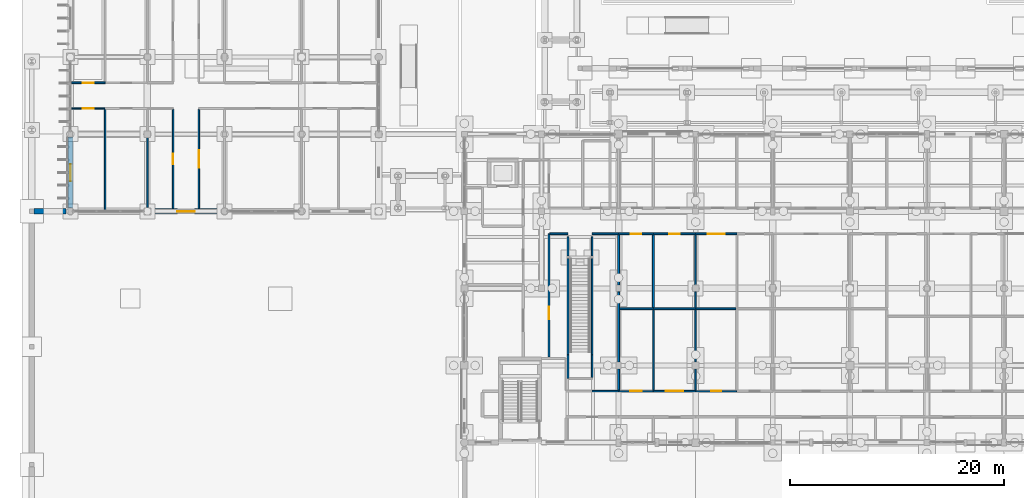
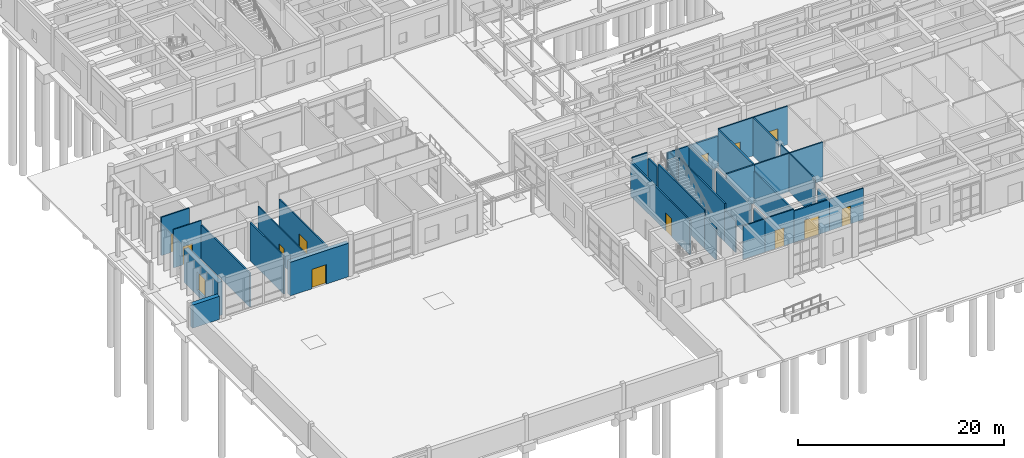
# One storey, part 95 of 143: 37 walls, 12 doors, 1 window, 13 openings.
"""IFC4 building model written with IfcOpenShell, lengths in metres."""

from ifc_helpers import new_model, si_unit, direction, frame, frame_2d, origin, place, context, subcontext, project, spatial, rectangle, extrude, material, layer, layer_set, type_object, element, fill, save


model = new_model("IFC4")

# Units and contexts
model_context = context("Model", 3, precision=1e-05, world=origin(), true_north=direction((0.0, 1.0)))
body_context = subcontext(model_context, "Body", "Model", "MODEL_VIEW")
ifc_project = project(units=[si_unit("LENGTHUNIT", "METRE"), si_unit("AREAUNIT", "SQUARE_METRE"), si_unit("VOLUMEUNIT", "CUBIC_METRE"), si_unit("PLANEANGLEUNIT", "RADIAN"), si_unit("MASSUNIT", "GRAM", prefix="KILO")], contexts=[model_context])

# Site, building, storey
site_placement = place(None, origin())
site = spatial("IfcSite", under=ifc_project, at=site_placement, CompositionType="ELEMENT")
building_placement = place(site_placement, origin())
building = spatial("IfcBuilding", under=site, at=building_placement, Name="Steenspoor Specialist Clinic", CompositionType="ELEMENT")
storey_placement = place(building_placement, origin())
storey = spatial("IfcBuildingStorey", under=building, at=storey_placement, Name="L00", CompositionType="ELEMENT", Elevation=0.0)

# Wall, opening, door
ifc_material_1 = material(Name="Volcanic basalt ashlar masonry", Category="masonry")
ifc_layer_1 = layer(ifc_material_1, 0.47998046875)
ifc_layer_set_1 = layer_set([ifc_layer_1], Name="Volcanic basalt ashlar masonry")
wall_type_1 = type_object("IfcWallType", Name="W-BASALT-480", PredefinedType="SOLIDWALL", material=ifc_layer_set_1)
wall_1_placement = place(storey_placement, frame((22.5, 34.64990234375, 0.0), z_axis=(0.0, 0.0, 1.0), x_axis=(-1.0, 0.0, 0.0)))
wall_1 = element("IfcWall", 1, at=wall_1_placement, inside=storey, type_object=wall_type_1, Name="Exterior Brick Wall EW-V3-L00-0071", PredefinedType="SOLIDWALL", context=body_context, shape_type="SweptSolid", body=[
    extrude(rectangle(XDim=6.574951171875, YDim=0.47998046875, at=frame_2d((3.28759765625, 0.0))), origin(), (0.0, 0.0, 1.0), 3.97998046875),
])
opening_1_placement = place(wall_1_placement, frame((2.5, 0.0, 0.0)))
opening_1 = element("IfcOpeningElement", 2, at=opening_1_placement, cuts=wall_1, Name="Opening ED16", PredefinedType="OPENING", context=body_context, shape_type="SweptSolid", body=[
    extrude(rectangle(XDim=1.60009765625, YDim=2.300048828125, at=frame_2d((0.800048828125, 1.14990234375))), frame((0.0, 0.25, 0.0), z_axis=(0.0, -1.0, 0.0), x_axis=(1.0, 0.0, 0.0)), (0.0, 0.0, 1.0), 0.5),
])
ifc_material_2 = material(Name="Anodised aluminium and safety glass", Category="aluminium")
door_type_1 = type_object("IfcDoorType", Name="DT-EXIT-160X230", OperationType="NOTDEFINED", PredefinedType="DOOR", material=ifc_material_2)
door_1_placement = place(opening_1_placement, origin())
door_1 = element("IfcDoor", 3, at=door_1_placement, inside=storey, type_object=door_type_1, Name="Main Pedestrian Entrance Exit ED16", OperationType="DOUBLE_DOOR_SINGLE_SWING", OverallHeight=2.300048828125, OverallWidth=1.60009765625, PredefinedType="DOOR", context=body_context, shape_type="SweptSolid", body=[
    extrude(rectangle(XDim=1.60009765625, YDim=2.300048828125, at=frame_2d((0.800048828125, 1.14990234375))), frame((0.0, 0.02490234375, 0.0), z_axis=(0.0, -1.0, 0.0), x_axis=(1.0, 0.0, 0.0)), (0.0, 0.0, 1.0), 0.050048828125),
])
fill(opening_1, door_1)

# Wall, opening, window
wall_2_placement = place(storey_placement, frame((8.39990234375, 34.949951171875, 0.0), z_axis=(0.0, 0.0, 1.0), x_axis=(0.0, 1.0, 0.0)))
wall_2 = element("IfcWall", 4, at=wall_2_placement, inside=storey, type_object=wall_type_1, Name="Exterior Brick Wall EW-V3-L00-0072", PredefinedType="SOLIDWALL", context=body_context, shape_type="SweptSolid", body=[
    extrude(rectangle(XDim=6.625, YDim=0.47998046875, at=frame_2d((3.3125, 0.0))), origin(), (0.0, 0.0, 1.0), 3.97998046875),
])
opening_2_placement = place(wall_2_placement, frame((2.512451171875, 0.0, 0.60009765625)))
opening_2 = element("IfcOpeningElement", 5, at=opening_2_placement, cuts=wall_2, Name="Opening WN-16", PredefinedType="OPENING", context=body_context, shape_type="SweptSolid", body=[
    extrude(rectangle(XDim=1.60009765625, YDim=2.199951171875, at=frame_2d((0.800048828125, 1.10009765625))), frame((0.0, 0.25, 0.0), z_axis=(0.0, -1.0, 0.0), x_axis=(1.0, 0.0, 0.0)), (0.0, 0.0, 1.0), 0.5),
])
ifc_material_3 = material(Name="Thermally broken aluminium and low-emissivity glass", Category="aluminium")
window_type = type_object("IfcWindowType", Name="WN-EXT-160X220", PartitioningType="SINGLE_PANEL", PredefinedType="WINDOW", material=ifc_material_3)
window_placement = place(opening_2_placement, origin())
window = element("IfcWindow", 6, at=window_placement, inside=storey, type_object=window_type, Name="Window 0088", OverallHeight=2.199951171875, OverallWidth=1.60009765625, PartitioningType="SINGLE_PANEL", PredefinedType="WINDOW", context=body_context, shape_type="SweptSolid", body=[
    extrude(rectangle(XDim=1.60009765625, YDim=2.199951171875, at=frame_2d((0.800048828125, 1.10009765625))), frame((0.0, 0.030029296875, 0.0), z_axis=(0.0, -1.0, 0.0), x_axis=(1.0, 0.0, 0.0)), (0.0, 0.0, 1.0), 0.06005859375),
])
fill(opening_2, window)

# Wall
wall_3_placement = place(storey_placement, frame((8.0, 34.64990234375, 0.0), z_axis=(0.0, 0.0, 1.0), x_axis=(-1.0, 0.0, 0.0)))
element("IfcWall", 7, at=wall_3_placement, inside=storey, type_object=wall_type_1, Name="Campus Courtyard Screen Wall YW-SW-01", PredefinedType="SOLIDWALL", context=body_context, shape_type="SweptSolid", body=[
    extrude(rectangle(XDim=2.989990234375, YDim=0.47998046875, at=frame_2d((1.4951171875, 0.0))), origin(), (0.0, 0.0, 1.0), 2.75),
])

# Wall, opening, door
ifc_material_4 = material(Name="Gypsum acoustic clinical partition", Category="gypsum")
ifc_layer_2 = layer(ifc_material_4, 0.14990234375)
ifc_layer_set_2 = layer_set([ifc_layer_2], Name="Gypsum acoustic clinical partition")
wall_type_2 = type_object("IfcWallType", Name="W-CLIN-150", PredefinedType="PARTITIONING", material=ifc_layer_set_2)
wall_4_placement = place(storey_placement, frame((62.85009765625, 17.85009765625, 0.0), z_axis=(0.0, 0.0, 1.0), x_axis=(1.0, 0.0, 0.0)))
wall_4 = element("IfcWall", 8, at=wall_4_placement, inside=storey, type_object=wall_type_2, Name="Interior Partition IW-V1-L00-0153", PredefinedType="PARTITIONING", context=body_context, shape_type="SweptSolid", body=[
    extrude(rectangle(XDim=3.949951171875, YDim=0.14990234375, at=frame_2d((1.97509765625, 0.0))), origin(), (0.0, 0.0, 1.0), 3.735107421875),
])
opening_3_placement = place(wall_4_placement, frame((1.175048828125, 0.0, 0.0)))
opening_3 = element("IfcOpeningElement", 9, at=opening_3_placement, cuts=wall_4, Name="Opening D0011", PredefinedType="OPENING", context=body_context, shape_type="SweptSolid", body=[
    extrude(rectangle(XDim=1.60009765625, YDim=2.25, at=frame_2d((0.800048828125, 1.125))), frame((0.0, 0.0849609375, 0.0), z_axis=(0.0, -1.0, 0.0), x_axis=(1.0, 0.0, 0.0)), (0.0, 0.0, 1.0), 0.169921875),
])
ifc_material_5 = material(Name="Hygienic HPL clinical timber door", Category="wood")
door_type_2 = type_object("IfcDoorType", Name="DT-PROC-160X225", OperationType="NOTDEFINED", PredefinedType="DOOR", material=ifc_material_5)
door_2_placement = place(opening_3_placement, origin())
door_2 = element("IfcDoor", 10, at=door_2_placement, inside=storey, type_object=door_type_2, Name="Clinical Door D0011", OperationType="SINGLE_SWING_RIGHT", OverallHeight=2.25, OverallWidth=1.60009765625, PredefinedType="DOOR", context=body_context, shape_type="SweptSolid", body=[
    extrude(rectangle(XDim=1.60009765625, YDim=2.25, at=frame_2d((0.800048828125, 1.125))), frame((0.0, 0.02490234375, 0.0), z_axis=(0.0, -1.0, 0.0), x_axis=(1.0, 0.0, 0.0)), (0.0, 0.0, 1.0), 0.050048828125),
])
fill(opening_3, door_2)

wall_5_placement = place(storey_placement, frame((66.800048828125, 32.550048828125, 0.0), z_axis=(0.0, 0.0, 1.0), x_axis=(1.0, 0.0, 0.0)))
wall_5 = element("IfcWall", 11, at=wall_5_placement, inside=storey, type_object=wall_type_2, Name="Interior Partition IW-V1-L00-0157", PredefinedType="PARTITIONING", context=body_context, shape_type="SweptSolid", body=[
    extrude(rectangle(XDim=3.849853515625, YDim=0.14990234375, at=frame_2d((1.9248046875, 0.0))), origin(), (0.0, 0.0, 1.0), 4.550048828125),
])
opening_4_placement = place(wall_5_placement, frame((1.125, 0.0, 0.0)))
opening_4 = element("IfcOpeningElement", 12, at=opening_4_placement, cuts=wall_5, Name="Opening D0030", PredefinedType="OPENING", context=body_context, shape_type="SweptSolid", body=[
    extrude(rectangle(XDim=1.60009765625, YDim=2.25, at=frame_2d((0.800048828125, 1.125))), frame((0.0, 0.0849609375, 0.0), z_axis=(0.0, -1.0, 0.0), x_axis=(1.0, 0.0, 0.0)), (0.0, 0.0, 1.0), 0.169921875),
])
door_3_placement = place(opening_4_placement, origin())
door_3 = element("IfcDoor", 13, at=door_3_placement, inside=storey, type_object=door_type_2, Name="Clinical Door D0030", OperationType="SINGLE_SWING_LEFT", OverallHeight=2.25, OverallWidth=1.60009765625, PredefinedType="DOOR", context=body_context, shape_type="SweptSolid", body=[
    extrude(rectangle(XDim=1.60009765625, YDim=2.25, at=frame_2d((0.800048828125, 1.125))), frame((0.0, 0.02490234375, 0.0), z_axis=(0.0, -1.0, 0.0), x_axis=(1.0, 0.0, 0.0)), (0.0, 0.0, 1.0), 0.050048828125),
])
fill(opening_4, door_3)

# Walls
wall_6_placement = place(storey_placement, frame((54.875, 19.050048828125, 0.0), z_axis=(0.0, 0.0, 1.0), x_axis=(0.0, 1.0, 0.0)))
element("IfcWall", 14, at=wall_6_placement, inside=storey, type_object=wall_type_2, Name="Interior Partition IW-V1-L00-0165", PredefinedType="PARTITIONING", context=body_context, shape_type="SweptSolid", body=[
    extrude(rectangle(XDim=2.199951171875, YDim=0.14990234375, at=frame_2d((1.10009765625, 0.0))), origin(), (0.0, 0.0, 1.0), 3.735107421875),
])
wall_7_placement = place(storey_placement, frame((57.125, 32.550048828125, 0.0), z_axis=(0.0, 0.0, 1.0), x_axis=(1.0, 0.0, 0.0)))
element("IfcWall", 15, at=wall_7_placement, inside=storey, type_object=wall_type_2, Name="Interior Partition IW-V1-L00-0166", PredefinedType="PARTITIONING", context=body_context, shape_type="SweptSolid", body=[
    extrude(rectangle(XDim=2.4599609375, YDim=0.14990234375, at=frame_2d((1.22998046875, 0.0))), origin(), (0.0, 0.0, 1.0), 3.735107421875),
])
wall_8_placement = place(storey_placement, frame((57.125, 17.85009765625, 0.0), z_axis=(0.0, 0.0, 1.0), x_axis=(1.0, 0.0, 0.0)))
element("IfcWall", 16, at=wall_8_placement, inside=storey, type_object=wall_type_2, Name="Interior Partition IW-V1-L00-0167", PredefinedType="PARTITIONING", context=body_context, shape_type="SweptSolid", body=[
    extrude(rectangle(XDim=2.47509765625, YDim=0.14990234375, at=frame_2d((1.237548828125, 0.0))), origin(), (0.0, 0.0, 1.0), 3.955078125),
])

# Wall, opening, door
wall_9_placement = place(storey_placement, frame((53.10009765625, 21.050048828125, 0.0), z_axis=(0.0, 0.0, 1.0), x_axis=(0.0, 1.0, 0.0)))
wall_9 = element("IfcWall", 17, at=wall_9_placement, inside=storey, type_object=wall_type_2, Name="Interior Partition IW-V1-L00-0171", PredefinedType="PARTITIONING", context=body_context, shape_type="SweptSolid", body=[
    extrude(rectangle(XDim=11.5, YDim=0.14990234375, at=frame_2d((5.75, 0.0))), origin(), (0.0, 0.0, 1.0), 4.074951171875),
])
opening_5_placement = place(wall_9_placement, frame((3.51904296875, 0.0, 0.0)))
opening_5 = element("IfcOpeningElement", 18, at=opening_5_placement, cuts=wall_9, Name="Opening D0009", PredefinedType="OPENING", context=body_context, shape_type="SweptSolid", body=[
    extrude(rectangle(XDim=1.14990234375, YDim=2.14990234375, at=frame_2d((0.574951171875, 1.074951171875))), frame((0.0, 0.0849609375, 0.0), z_axis=(0.0, -1.0, 0.0), x_axis=(1.0, 0.0, 0.0)), (0.0, 0.0, 1.0), 0.169921875),
])
ifc_material_6 = material(Name="Solid-core hardwood clinical door", Category="wood")
door_type_3 = type_object("IfcDoorType", Name="DT-CONS-115X215", OperationType="NOTDEFINED", PredefinedType="DOOR", material=ifc_material_6)
door_4_placement = place(opening_5_placement, origin())
door_4 = element("IfcDoor", 19, at=door_4_placement, inside=storey, type_object=door_type_3, Name="Clinical Door D0009", OperationType="SINGLE_SWING_RIGHT", OverallHeight=2.14990234375, OverallWidth=1.14990234375, PredefinedType="DOOR", context=body_context, shape_type="SweptSolid", body=[
    extrude(rectangle(XDim=1.14990234375, YDim=2.14990234375, at=frame_2d((0.574951171875, 1.074951171875))), frame((0.0, 0.02490234375, 0.0), z_axis=(0.0, -1.0, 0.0), x_axis=(1.0, 0.0, 0.0)), (0.0, 0.0, 1.0), 0.050048828125),
])
fill(opening_5, door_4)

# Wall
wall_10_placement = place(storey_placement, frame((53.18994140625, 32.550048828125, 0.0), z_axis=(0.0, 0.0, 1.0), x_axis=(1.0, 0.0, 0.0)))
element("IfcWall", 20, at=wall_10_placement, inside=storey, type_object=wall_type_2, Name="Interior Partition IW-V1-L00-0172", PredefinedType="PARTITIONING", context=body_context, shape_type="SweptSolid", body=[
    extrude(rectangle(XDim=1.68505859375, YDim=0.14990234375, at=frame_2d((0.842529296875, 0.0))), origin(), (0.0, 0.0, 1.0), 4.550048828125),
])

# Wall, opening, door
wall_11_placement = place(storey_placement, frame((62.864990234375, 32.550048828125, 0.0), z_axis=(0.0, 0.0, 1.0), x_axis=(1.0, 0.0, 0.0)))
wall_11 = element("IfcWall", 21, at=wall_11_placement, inside=storey, type_object=wall_type_2, Name="Interior Partition IW-V1-L00-0179", PredefinedType="PARTITIONING", context=body_context, shape_type="SweptSolid", body=[
    extrude(rectangle(XDim=3.919921875, YDim=0.14990234375, at=frame_2d((1.9599609375, 0.0))), origin(), (0.0, 0.0, 1.0), 4.550048828125),
])
opening_6_placement = place(wall_11_placement, frame((1.4599609375, 0.0, 0.0)))
opening_6 = element("IfcOpeningElement", 22, at=opening_6_placement, cuts=wall_11, Name="Opening D0029", PredefinedType="OPENING", context=body_context, shape_type="SweptSolid", body=[
    extrude(rectangle(XDim=1.0, YDim=2.14990234375, at=frame_2d((0.5, 1.074951171875))), frame((0.0, 0.0849609375, 0.0), z_axis=(0.0, -1.0, 0.0), x_axis=(1.0, 0.0, 0.0)), (0.0, 0.0, 1.0), 0.169921875),
])
ifc_material_7 = material(Name="Moisture-resistant HPL accessible WC door", Category="wood")
door_type_4 = type_object("IfcDoorType", Name="DT-AWC-100X215", OperationType="NOTDEFINED", PredefinedType="DOOR", material=ifc_material_7)
door_5_placement = place(opening_6_placement, origin())
door_5 = element("IfcDoor", 23, at=door_5_placement, inside=storey, type_object=door_type_4, Name="Clinical Door D0029", OperationType="SINGLE_SWING_RIGHT", OverallHeight=2.14990234375, OverallWidth=1.0, PredefinedType="DOOR", context=body_context, shape_type="SweptSolid", body=[
    extrude(rectangle(XDim=1.0, YDim=2.14990234375, at=frame_2d((0.5, 1.074951171875))), frame((0.0, 0.02490234375, 0.0), z_axis=(0.0, -1.0, 0.0), x_axis=(1.0, 0.0, 0.0)), (0.0, 0.0, 1.0), 0.050048828125),
])
fill(opening_6, door_5)

wall_12_placement = place(storey_placement, frame((20.39990234375, 34.905029296875, 0.0), z_axis=(0.0, 0.0, 1.0), x_axis=(0.0, 1.0, 0.0)))
wall_12 = element("IfcWall", 24, at=wall_12_placement, inside=storey, type_object=wall_type_2, Name="Interior Partition IW-V3-L00-0204", PredefinedType="PARTITIONING", context=body_context, shape_type="SweptSolid", body=[
    extrude(rectangle(XDim=9.2548828125, YDim=0.14990234375, at=frame_2d((4.62744140625, 0.0))), origin(), (0.0, 0.0, 1.0), 4.0400390625),
])
opening_7_placement = place(wall_12_placement, frame((3.827392578125, 0.0, 0.0)))
opening_7 = element("IfcOpeningElement", 25, at=opening_7_placement, cuts=wall_12, Name="Opening D0133", PredefinedType="OPENING", context=body_context, shape_type="SweptSolid", body=[
    extrude(rectangle(XDim=1.60009765625, YDim=2.25, at=frame_2d((0.800048828125, 1.125))), frame((0.0, 0.0849609375, 0.0), z_axis=(0.0, -1.0, 0.0), x_axis=(1.0, 0.0, 0.0)), (0.0, 0.0, 1.0), 0.169921875),
])
door_6_placement = place(opening_7_placement, origin())
door_6 = element("IfcDoor", 26, at=door_6_placement, inside=storey, type_object=door_type_2, Name="Clinical Door D0133", OperationType="SINGLE_SWING_RIGHT", OverallHeight=2.25, OverallWidth=1.60009765625, PredefinedType="DOOR", context=body_context, shape_type="SweptSolid", body=[
    extrude(rectangle(XDim=1.60009765625, YDim=2.25, at=frame_2d((0.800048828125, 1.125))), frame((0.0, 0.02490234375, 0.0), z_axis=(0.0, -1.0, 0.0), x_axis=(1.0, 0.0, 0.0)), (0.0, 0.0, 1.0), 0.050048828125),
])
fill(opening_7, door_6)

wall_13_placement = place(storey_placement, frame((8.5048828125, 46.64990234375, 0.0), z_axis=(0.0, 0.0, 1.0), x_axis=(1.0, 0.0, 0.0)))
wall_13 = element("IfcWall", 27, at=wall_13_placement, inside=storey, type_object=wall_type_2, Name="Interior Partition IW-V3-L00-0206", PredefinedType="PARTITIONING", context=body_context, shape_type="SweptSolid", body=[
    extrude(rectangle(XDim=3.14501953125, YDim=0.14990234375, at=frame_2d((1.572509765625, 0.0))), origin(), (0.0, 0.0, 1.0), 4.550048828125),
])
opening_8_placement = place(wall_13_placement, frame((1.072509765625, 0.0, 0.0)))
opening_8 = element("IfcOpeningElement", 28, at=opening_8_placement, cuts=wall_13, Name="Opening D0137", PredefinedType="OPENING", context=body_context, shape_type="SweptSolid", body=[
    extrude(rectangle(XDim=1.0, YDim=2.14990234375, at=frame_2d((0.5, 1.074951171875))), frame((0.0, 0.0849609375, 0.0), z_axis=(0.0, -1.0, 0.0), x_axis=(1.0, 0.0, 0.0)), (0.0, 0.0, 1.0), 0.169921875),
])
door_7_placement = place(opening_8_placement, origin())
door_7 = element("IfcDoor", 29, at=door_7_placement, inside=storey, type_object=door_type_4, Name="Clinical Door D0137", OperationType="SINGLE_SWING_RIGHT", OverallHeight=2.14990234375, OverallWidth=1.0, PredefinedType="DOOR", context=body_context, shape_type="SweptSolid", body=[
    extrude(rectangle(XDim=1.0, YDim=2.14990234375, at=frame_2d((0.5, 1.074951171875))), frame((0.0, 0.02490234375, 0.0), z_axis=(0.0, -1.0, 0.0), x_axis=(1.0, 0.0, 0.0)), (0.0, 0.0, 1.0), 0.050048828125),
])
fill(opening_8, door_7)

# Walls
wall_14_placement = place(storey_placement, frame((62.85009765625, 17.93994140625, 0.0), z_axis=(0.0, 0.0, 1.0), x_axis=(0.0, 1.0, 0.0)))
element("IfcWall", 30, at=wall_14_placement, inside=storey, type_object=wall_type_2, Name="Interior Partition IW-V1-L00-0531", PredefinedType="PARTITIONING", context=body_context, shape_type="SweptSolid", body=[
    extrude(rectangle(XDim=7.505126953125, YDim=0.14990234375, at=frame_2d((3.75244140625, 0.0))), origin(), (0.0, 0.0, 1.0), 3.8349609375),
])
wall_15_placement = place(storey_placement, frame((62.864990234375, 25.550048828125, 0.0), z_axis=(0.0, 0.0, 1.0), x_axis=(1.0, 0.0, 0.0)))
element("IfcWall", 31, at=wall_15_placement, inside=storey, type_object=wall_type_2, Name="Interior Partition IW-V1-L00-0532", PredefinedType="PARTITIONING", context=body_context, shape_type="SweptSolid", body=[
    extrude(rectangle(XDim=3.93505859375, YDim=0.14990234375, at=frame_2d((1.967529296875, 0.0))), origin(), (0.0, 0.0, 1.0), 4.550048828125),
])
wall_16_placement = place(storey_placement, frame((66.800048828125, 17.93994140625, 0.0), z_axis=(0.0, 0.0, 1.0), x_axis=(0.0, 1.0, 0.0)))
element("IfcWall", 32, at=wall_16_placement, inside=storey, type_object=wall_type_2, Name="Interior Partition IW-V1-L00-0533", PredefinedType="PARTITIONING", context=body_context, shape_type="SweptSolid", body=[
    extrude(rectangle(XDim=1.969970703125, YDim=0.14990234375, at=frame_2d((0.98486328125, 0.0))), origin(), (0.0, 0.0, 1.0), 3.735107421875),
])
wall_17_placement = place(storey_placement, frame((66.800048828125, 20.590087890625, 0.0), z_axis=(0.0, 0.0, 1.0), x_axis=(0.0, 1.0, 0.0)))
element("IfcWall", 33, at=wall_17_placement, inside=storey, type_object=wall_type_2, Name="Interior Partition IW-V1-L00-0534", PredefinedType="PARTITIONING", context=body_context, shape_type="SweptSolid", body=[
    extrude(rectangle(XDim=4.869873046875, YDim=0.14990234375, at=frame_2d((2.43505859375, 0.0))), origin(), (0.0, 0.0, 1.0), 4.550048828125),
])
wall_18_placement = place(storey_placement, frame((66.81494140625, 25.550048828125, 0.0), z_axis=(0.0, 0.0, 1.0), x_axis=(1.0, 0.0, 0.0)))
element("IfcWall", 34, at=wall_18_placement, inside=storey, type_object=wall_type_2, Name="Interior Partition IW-V1-L00-0535", PredefinedType="PARTITIONING", context=body_context, shape_type="SweptSolid", body=[
    extrude(rectangle(XDim=3.72998046875, YDim=0.14990234375, at=frame_2d((1.864990234375, 0.0))), origin(), (0.0, 0.0, 1.0), 4.550048828125),
])
wall_19_placement = place(storey_placement, frame((66.800048828125, 25.639892578125, 0.0), z_axis=(0.0, 0.0, 1.0), x_axis=(0.0, 1.0, 0.0)))
element("IfcWall", 35, at=wall_19_placement, inside=storey, type_object=wall_type_2, Name="Interior Partition IW-V1-L00-0541", PredefinedType="PARTITIONING", context=body_context, shape_type="SweptSolid", body=[
    extrude(rectangle(XDim=1.4951171875, YDim=0.14990234375, at=frame_2d((0.74755859375, 0.0))), origin(), (0.0, 0.0, 1.0), 4.550048828125),
])
wall_20_placement = place(storey_placement, frame((66.800048828125, 27.764892578125, 0.0), z_axis=(0.0, 0.0, 1.0), x_axis=(0.0, 1.0, 0.0)))
element("IfcWall", 36, at=wall_20_placement, inside=storey, type_object=wall_type_2, Name="Interior Partition IW-V1-L00-0542", PredefinedType="PARTITIONING", context=body_context, shape_type="SweptSolid", body=[
    extrude(rectangle(XDim=4.695068359375, YDim=0.14990234375, at=frame_2d((2.34765625, 0.0))), origin(), (0.0, 0.0, 1.0), 4.550048828125),
])
wall_21_placement = place(storey_placement, frame((54.875, 21.264892578125, 0.0), z_axis=(0.0, 0.0, 1.0), x_axis=(0.0, 1.0, 0.0)))
element("IfcWall", 37, at=wall_21_placement, inside=storey, type_object=wall_type_2, Name="Interior Partition IW-V1-L00-0545", PredefinedType="PARTITIONING", context=body_context, shape_type="SweptSolid", body=[
    extrude(rectangle(XDim=8.968017578125, YDim=0.14990234375, at=frame_2d((4.48388671875, 0.0))), origin(), (0.0, 0.0, 1.0), 4.550048828125),
])
wall_22_placement = place(storey_placement, frame((54.875, 30.467041015625, 0.0), z_axis=(0.0, 0.0, 1.0), x_axis=(0.0, 1.0, 0.0)))
element("IfcWall", 38, at=wall_22_placement, inside=storey, type_object=wall_type_2, Name="Interior Partition IW-V1-L00-0546", PredefinedType="PARTITIONING", context=body_context, shape_type="SweptSolid", body=[
    extrude(rectangle(XDim=1.782958984375, YDim=0.14990234375, at=frame_2d((0.8916015625, 0.0))), origin(), (0.0, 0.0, 1.0), 4.074951171875),
])
wall_23_placement = place(storey_placement, frame((57.125, 19.139892578125, 0.0), z_axis=(0.0, 0.0, 1.0), x_axis=(0.0, 1.0, 0.0)))
element("IfcWall", 39, at=wall_23_placement, inside=storey, type_object=wall_type_2, Name="Interior Partition IW-V1-L00-0548", PredefinedType="PARTITIONING", context=body_context, shape_type="SweptSolid", body=[
    extrude(rectangle(XDim=2.110107421875, YDim=0.14990234375, at=frame_2d((1.05517578125, 0.0))), origin(), (0.0, 0.0, 1.0), 3.735107421875),
])
wall_24_placement = place(storey_placement, frame((57.125, 21.264892578125, 0.0), z_axis=(0.0, 0.0, 1.0), x_axis=(0.0, 1.0, 0.0)))
element("IfcWall", 40, at=wall_24_placement, inside=storey, type_object=wall_type_2, Name="Interior Partition IW-V1-L00-0549", PredefinedType="PARTITIONING", context=body_context, shape_type="SweptSolid", body=[
    extrude(rectangle(XDim=8.968017578125, YDim=0.14990234375, at=frame_2d((4.48388671875, 0.0))), origin(), (0.0, 0.0, 1.0), 4.550048828125),
])
wall_25_placement = place(storey_placement, frame((57.125, 30.467041015625, 0.0), z_axis=(0.0, 0.0, 1.0), x_axis=(0.0, 1.0, 0.0)))
element("IfcWall", 41, at=wall_25_placement, inside=storey, type_object=wall_type_2, Name="Interior Partition IW-V1-L00-0550", PredefinedType="PARTITIONING", context=body_context, shape_type="SweptSolid", body=[
    extrude(rectangle(XDim=1.782958984375, YDim=0.14990234375, at=frame_2d((0.8916015625, 0.0))), origin(), (0.0, 0.0, 1.0), 4.074951171875),
])
wall_26_placement = place(storey_placement, frame((11.64990234375, 34.7548828125, 0.0), z_axis=(0.0, 0.0, 1.0), x_axis=(0.0, 1.0, 0.0)))
element("IfcWall", 42, at=wall_26_placement, inside=storey, type_object=wall_type_2, Name="Interior Partition IW-V3-L00-0582", PredefinedType="PARTITIONING", context=body_context, shape_type="SweptSolid", body=[
    extrude(rectangle(XDim=9.405029296875, YDim=0.14990234375, at=frame_2d((4.70263671875, 0.0))), origin(), (0.0, 0.0, 1.0), 4.0400390625),
])
wall_27_placement = place(storey_placement, frame((15.60009765625, 34.989990234375, 0.0), z_axis=(0.0, 0.0, 1.0), x_axis=(0.0, 1.0, 0.0)))
element("IfcWall", 43, at=wall_27_placement, inside=storey, type_object=wall_type_2, Name="Interior Partition IW-V3-L00-0583", PredefinedType="PARTITIONING", context=body_context, shape_type="SweptSolid", body=[
    extrude(rectangle(XDim=6.544921875, YDim=0.14990234375, at=frame_2d((3.2724609375, 0.0))), origin(), (0.0, 0.0, 1.0), 4.550048828125),
])

# Wall, opening, door
ifc_material_8 = material(Name="Gypsum studio partition board", Category="gypsum")
ifc_layer_3 = layer(ifc_material_8, 0.1201171875)
ifc_layer_set_3 = layer_set([ifc_layer_3], Name="Gypsum studio partition board")
wall_type_3 = type_object("IfcWallType", Name="W-PART-120", PredefinedType="PARTITIONING", material=ifc_layer_set_3)
wall_28_placement = place(storey_placement, frame((59.614990234375, 17.85009765625, 0.0), z_axis=(0.0, 0.0, 1.0), x_axis=(1.0, 0.0, 0.0)))
wall_28 = element("IfcWall", 44, at=wall_28_placement, inside=storey, type_object=wall_type_3, Name="Interior Partition IW-V1-L00-0294", PredefinedType="PARTITIONING", context=body_context, shape_type="SweptSolid", body=[
    extrude(rectangle(XDim=3.219970703125, YDim=0.1201171875, at=frame_2d((1.60986328125, 0.0))), origin(), (0.0, 0.0, 1.0), 3.955078125),
])
opening_9_placement = place(wall_28_placement, frame((1.0849609375, 0.0, 0.0)))
opening_9 = element("IfcOpeningElement", 45, at=opening_9_placement, cuts=wall_28, Name="Opening D0010", PredefinedType="OPENING", context=body_context, shape_type="SweptSolid", body=[
    extrude(rectangle(XDim=1.050048828125, YDim=2.14990234375, at=frame_2d((0.52490234375, 1.074951171875))), frame((0.0, 0.070068359375, 0.0), z_axis=(0.0, -1.0, 0.0), x_axis=(1.0, 0.0, 0.0)), (0.0, 0.0, 1.0), 0.14013671875),
])
ifc_material_9 = material(Name="Solid-core hardwood office door", Category="wood")
door_type_5 = type_object("IfcDoorType", Name="DT-OFF-105X215", OperationType="NOTDEFINED", PredefinedType="DOOR", material=ifc_material_9)
door_8_placement = place(opening_9_placement, origin())
door_8 = element("IfcDoor", 46, at=door_8_placement, inside=storey, type_object=door_type_5, Name="Clinical Door D0010", OperationType="SINGLE_SWING_LEFT", OverallHeight=2.14990234375, OverallWidth=1.050048828125, PredefinedType="DOOR", context=body_context, shape_type="SweptSolid", body=[
    extrude(rectangle(XDim=1.050048828125, YDim=2.14990234375, at=frame_2d((0.52490234375, 1.074951171875))), frame((0.0, 0.02490234375, 0.0), z_axis=(0.0, -1.0, 0.0), x_axis=(1.0, 0.0, 0.0)), (0.0, 0.0, 1.0), 0.050048828125),
])
fill(opening_9, door_8)

wall_29_placement = place(storey_placement, frame((66.81494140625, 17.85009765625, 0.0), z_axis=(0.0, 0.0, 1.0), x_axis=(1.0, 0.0, 0.0)))
wall_29 = element("IfcWall", 47, at=wall_29_placement, inside=storey, type_object=wall_type_3, Name="Interior Partition IW-V1-L00-0295", PredefinedType="PARTITIONING", context=body_context, shape_type="SweptSolid", body=[
    extrude(rectangle(XDim=3.820068359375, YDim=0.1201171875, at=frame_2d((1.91015625, 0.0))), origin(), (0.0, 0.0, 1.0), 3.735107421875),
])
opening_10_placement = place(wall_29_placement, frame((1.43505859375, 0.0, 0.0)))
opening_10 = element("IfcOpeningElement", 48, at=opening_10_placement, cuts=wall_29, Name="Opening D0012", PredefinedType="OPENING", context=body_context, shape_type="SweptSolid", body=[
    extrude(rectangle(XDim=0.949951171875, YDim=2.10009765625, at=frame_2d((0.47509765625, 1.050048828125))), frame((0.0, 0.070068359375, 0.0), z_axis=(0.0, -1.0, 0.0), x_axis=(1.0, 0.0, 0.0)), (0.0, 0.0, 1.0), 0.14013671875),
])
ifc_material_10 = material(Name="Moisture-resistant HPL sanitary door", Category="wood")
door_type_6 = type_object("IfcDoorType", Name="DT-WC-095X210", OperationType="NOTDEFINED", PredefinedType="DOOR", material=ifc_material_10)
door_9_placement = place(opening_10_placement, origin())
door_9 = element("IfcDoor", 49, at=door_9_placement, inside=storey, type_object=door_type_6, Name="Clinical Door D0012", OperationType="SINGLE_SWING_LEFT", OverallHeight=2.10009765625, OverallWidth=0.949951171875, PredefinedType="DOOR", context=body_context, shape_type="SweptSolid", body=[
    extrude(rectangle(XDim=0.949951171875, YDim=2.10009765625, at=frame_2d((0.47509765625, 1.050048828125))), frame((0.0, 0.02490234375, 0.0), z_axis=(0.0, -1.0, 0.0), x_axis=(1.0, 0.0, 0.0)), (0.0, 0.0, 1.0), 0.050048828125),
])
fill(opening_10, door_9)

wall_30_placement = place(storey_placement, frame((8.5048828125, 44.25, 0.0), z_axis=(0.0, 0.0, 1.0), x_axis=(1.0, 0.0, 0.0)))
wall_30 = element("IfcWall", 50, at=wall_30_placement, inside=storey, type_object=wall_type_3, Name="Interior Partition IW-V3-L00-0317", PredefinedType="PARTITIONING", context=body_context, shape_type="SweptSolid", body=[
    extrude(rectangle(XDim=3.130126953125, YDim=0.1201171875, at=frame_2d((1.56494140625, 0.0))), origin(), (0.0, 0.0, 1.0), 4.550048828125),
])
opening_11_placement = place(wall_30_placement, frame((1.0400390625, 0.0, 0.0)))
opening_11 = element("IfcOpeningElement", 51, at=opening_11_placement, cuts=wall_30, Name="Opening D0130", PredefinedType="OPENING", context=body_context, shape_type="SweptSolid", body=[
    extrude(rectangle(XDim=1.050048828125, YDim=2.14990234375, at=frame_2d((0.52490234375, 1.074951171875))), frame((0.0, 0.070068359375, 0.0), z_axis=(0.0, -1.0, 0.0), x_axis=(1.0, 0.0, 0.0)), (0.0, 0.0, 1.0), 0.14013671875),
])
door_10_placement = place(opening_11_placement, origin())
door_10 = element("IfcDoor", 52, at=door_10_placement, inside=storey, type_object=door_type_5, Name="Clinical Door D0130", OperationType="SINGLE_SWING_LEFT", OverallHeight=2.14990234375, OverallWidth=1.050048828125, PredefinedType="DOOR", context=body_context, shape_type="SweptSolid", body=[
    extrude(rectangle(XDim=1.050048828125, YDim=2.14990234375, at=frame_2d((0.52490234375, 1.074951171875))), frame((0.0, 0.02490234375, 0.0), z_axis=(0.0, -1.0, 0.0), x_axis=(1.0, 0.0, 0.0)), (0.0, 0.0, 1.0), 0.050048828125),
])
fill(opening_11, door_10)

wall_31_placement = place(storey_placement, frame((18.0, 34.905029296875, 0.0), z_axis=(0.0, 0.0, 1.0), x_axis=(0.0, 1.0, 0.0)))
wall_31 = element("IfcWall", 53, at=wall_31_placement, inside=storey, type_object=wall_type_3, Name="Interior Partition IW-V3-L00-0319", PredefinedType="PARTITIONING", context=body_context, shape_type="SweptSolid", body=[
    extrude(rectangle(XDim=9.27001953125, YDim=0.1201171875, at=frame_2d((4.635009765625, 0.0))), origin(), (0.0, 0.0, 1.0), 4.0400390625),
])
opening_12_placement = place(wall_31_placement, frame((4.159912109375, 0.0, 0.0)))
opening_12 = element("IfcOpeningElement", 54, at=opening_12_placement, cuts=wall_31, Name="Opening D0132", PredefinedType="OPENING", context=body_context, shape_type="SweptSolid", body=[
    extrude(rectangle(XDim=0.949951171875, YDim=2.10009765625, at=frame_2d((0.47509765625, 1.050048828125))), frame((0.0, 0.070068359375, 0.0), z_axis=(0.0, -1.0, 0.0), x_axis=(1.0, 0.0, 0.0)), (0.0, 0.0, 1.0), 0.14013671875),
])
door_11_placement = place(opening_12_placement, origin())
door_11 = element("IfcDoor", 55, at=door_11_placement, inside=storey, type_object=door_type_6, Name="Clinical Door D0132", OperationType="SINGLE_SWING_LEFT", OverallHeight=2.10009765625, OverallWidth=0.949951171875, PredefinedType="DOOR", context=body_context, shape_type="SweptSolid", body=[
    extrude(rectangle(XDim=0.949951171875, YDim=2.10009765625, at=frame_2d((0.47509765625, 1.050048828125))), frame((0.0, 0.02490234375, 0.0), z_axis=(0.0, -1.0, 0.0), x_axis=(1.0, 0.0, 0.0)), (0.0, 0.0, 1.0), 0.050048828125),
])
fill(opening_12, door_11)

ifc_material_11 = material(Name="Moisture-resistant gypsum plumbing wall", Category="gypsum")
ifc_layer_4 = layer(ifc_material_11, 0.179931640625)
ifc_layer_set_4 = layer_set([ifc_layer_4], Name="Moisture-resistant gypsum plumbing wall")
wall_type_4 = type_object("IfcWallType", Name="W-PLUMB-180", PredefinedType="PLUMBINGWALL", material=ifc_layer_set_4)
wall_32_placement = place(storey_placement, frame((59.60009765625, 32.550048828125, 0.0), z_axis=(0.0, 0.0, 1.0), x_axis=(1.0, 0.0, 0.0)))
wall_32 = element("IfcWall", 56, at=wall_32_placement, inside=storey, type_object=wall_type_4, Name="Interior Partition IW-V1-L00-0128", PredefinedType="PLUMBINGWALL", context=body_context, shape_type="SweptSolid", body=[
    extrude(rectangle(XDim=3.25, YDim=0.179931640625, at=frame_2d((1.625, 0.0))), origin(), (0.0, 0.0, 1.0), 3.735107421875),
])
opening_13_placement = place(wall_32_placement, frame((1.14990234375, 0.0, 0.0)))
opening_13 = element("IfcOpeningElement", 57, at=opening_13_placement, cuts=wall_32, Name="Opening D0028", PredefinedType="OPENING", context=body_context, shape_type="SweptSolid", body=[
    extrude(rectangle(XDim=0.949951171875, YDim=2.10009765625, at=frame_2d((0.47509765625, 1.050048828125))), frame((0.0, 0.10009765625, 0.0), z_axis=(0.0, -1.0, 0.0), x_axis=(1.0, 0.0, 0.0)), (0.0, 0.0, 1.0), 0.199951171875),
])
door_12_placement = place(opening_13_placement, origin())
door_12 = element("IfcDoor", 58, at=door_12_placement, inside=storey, type_object=door_type_6, Name="Clinical Door D0028", OperationType="SINGLE_SWING_LEFT", OverallHeight=2.10009765625, OverallWidth=0.949951171875, PredefinedType="DOOR", context=body_context, shape_type="SweptSolid", body=[
    extrude(rectangle(XDim=0.949951171875, YDim=2.10009765625, at=frame_2d((0.47509765625, 1.050048828125))), frame((0.0, 0.02490234375, 0.0), z_axis=(0.0, -1.0, 0.0), x_axis=(1.0, 0.0, 0.0)), (0.0, 0.0, 1.0), 0.050048828125),
])
fill(opening_13, door_12)

# Walls
wall_33_placement = place(storey_placement, frame((59.60009765625, 17.93994140625, 0.0), z_axis=(0.0, 0.0, 1.0), x_axis=(0.0, 1.0, 0.0)))
element("IfcWall", 59, at=wall_33_placement, inside=storey, type_object=wall_type_4, Name="Interior Partition IW-V1-L00-0482", PredefinedType="PLUMBINGWALL", context=body_context, shape_type="SweptSolid", body=[
    extrude(rectangle(XDim=1.969970703125, YDim=0.179931640625, at=frame_2d((0.98486328125, 0.0))), origin(), (0.0, 0.0, 1.0), 3.955078125),
])
wall_34_placement = place(storey_placement, frame((59.60009765625, 20.590087890625, 0.0), z_axis=(0.0, 0.0, 1.0), x_axis=(0.0, 1.0, 0.0)))
element("IfcWall", 60, at=wall_34_placement, inside=storey, type_object=wall_type_4, Name="Interior Partition IW-V1-L00-0483", PredefinedType="PLUMBINGWALL", context=body_context, shape_type="SweptSolid", body=[
    extrude(rectangle(XDim=6.544921875, YDim=0.179931640625, at=frame_2d((3.2724609375, 0.0))), origin(), (0.0, 0.0, 1.0), 3.985107421875),
])
wall_35_placement = place(storey_placement, frame((59.60009765625, 27.764892578125, 0.0), z_axis=(0.0, 0.0, 1.0), x_axis=(0.0, 1.0, 0.0)))
element("IfcWall", 61, at=wall_35_placement, inside=storey, type_object=wall_type_4, Name="Interior Partition IW-V1-L00-0484", PredefinedType="PLUMBINGWALL", context=body_context, shape_type="SweptSolid", body=[
    extrude(rectangle(XDim=4.68017578125, YDim=0.179931640625, at=frame_2d((2.340087890625, 0.0))), origin(), (0.0, 0.0, 1.0), 3.735107421875),
])
wall_36_placement = place(storey_placement, frame((59.705078125, 25.550048828125, 0.0), z_axis=(0.0, 0.0, 1.0), x_axis=(1.0, 0.0, 0.0)))
element("IfcWall", 62, at=wall_36_placement, inside=storey, type_object=wall_type_4, Name="Interior Partition IW-V1-L00-0485", PredefinedType="PLUMBINGWALL", context=body_context, shape_type="SweptSolid", body=[
    extrude(rectangle(XDim=3.14501953125, YDim=0.179931640625, at=frame_2d((1.572509765625, 0.0))), origin(), (0.0, 0.0, 1.0), 4.550048828125),
])
wall_37_placement = place(storey_placement, frame((62.85009765625, 25.655029296875, 0.0), z_axis=(0.0, 0.0, 1.0), x_axis=(0.0, 1.0, 0.0)))
element("IfcWall", 63, at=wall_37_placement, inside=storey, type_object=wall_type_4, Name="Interior Partition IW-V1-L00-0504", PredefinedType="PLUMBINGWALL", context=body_context, shape_type="SweptSolid", body=[
    extrude(rectangle(XDim=6.7900390625, YDim=0.179931640625, at=frame_2d((3.39501953125, 0.0))), origin(), (0.0, 0.0, 1.0), 4.550048828125),
])

save(model, "model.ifc")
